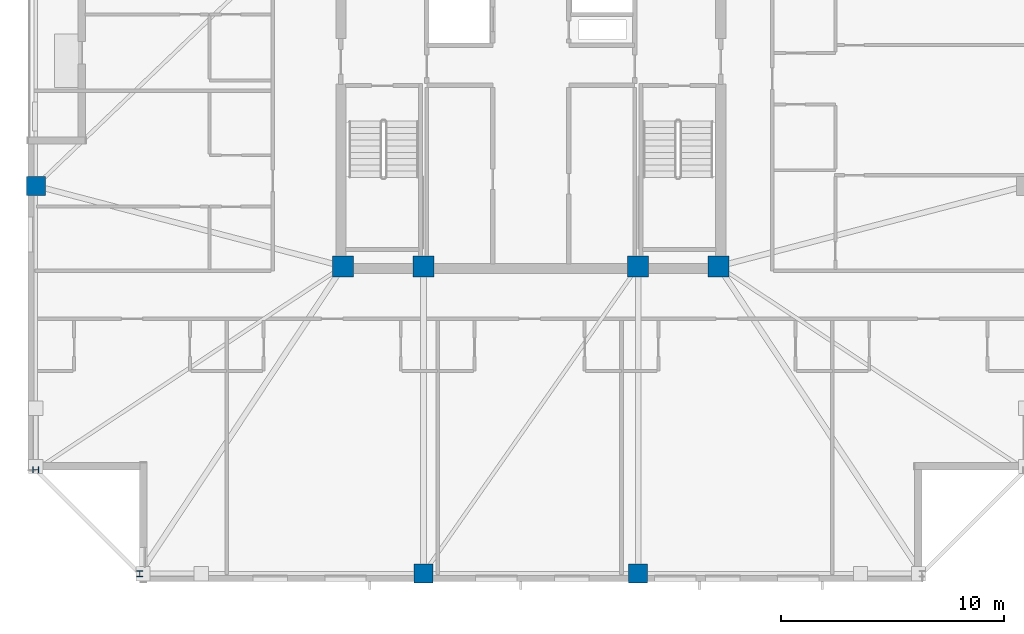
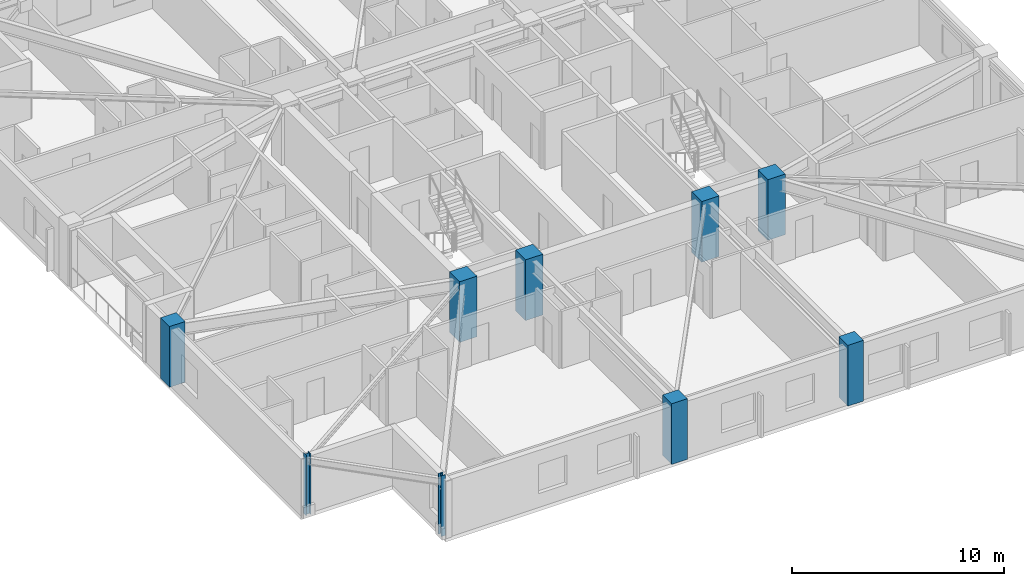
# One storey, part 1 of 17: 9 columns.
"""IFC4 building model written with IfcOpenShell, lengths in metres."""

from ifc_helpers import new_model, si_unit, direction, frame, origin, origin_2d, place, context, subcontext, project, spatial, rectangle, i_section, extrude, material, material_profile, profile_set, type_object, element, save


model = new_model("IFC4")

# Units and contexts
model_context = context("Model", 3, precision=1e-05, world=origin(), true_north=direction((0.0, 1.0)))
body_context = subcontext(model_context, "Body", "Model", "MODEL_VIEW")
ifc_project = project(units=[si_unit("LENGTHUNIT", "METRE"), si_unit("AREAUNIT", "SQUARE_METRE"), si_unit("VOLUMEUNIT", "CUBIC_METRE"), si_unit("PLANEANGLEUNIT", "RADIAN"), si_unit("MASSUNIT", "GRAM", prefix="KILO")], contexts=[model_context])

# Site, building, storey
site_placement = place(None, origin())
site = spatial("IfcSite", under=ifc_project, at=site_placement, CompositionType="ELEMENT")
building_placement = place(site_placement, origin())
building = spatial("IfcBuilding", under=site, at=building_placement, Name="Cairnveth Concourse Tower", CompositionType="ELEMENT")
storey_placement = place(building_placement, frame((0.0, 0.0, 244.5)))
storey = spatial("IfcBuildingStorey", under=building, at=storey_placement, Name="L67", CompositionType="ELEMENT", Elevation=244.5)

# Columns
ifc_material_1 = material(Name="Concrete N65 (65 MPa)", Category="concrete")
ifc_material_profile_1 = material_profile(ifc_material_1, rectangle(XDim=0.949951171875, YDim=0.949951171875, at=origin_2d()), Name="RC-COL-950x950")
ifc_profile_set_1 = profile_set([ifc_material_profile_1], Name="Concrete N65 (65 MPa)")
column_type_1 = type_object("IfcColumnType", Name="CORE COLUMN 950X950", PredefinedType="COLUMN", material=ifc_profile_set_1)
for number, where, z_axis, x_axis, name in (
    (1, (43.60009765625, 30.60009765625, 0.0), (0.0, 0.0, 1.0), (1.0, 0.0, 0.0), "Column CC1 L67"),
    (2, (47.199951171875, 30.60009765625, 0.0), (0.0, 0.0, 1.0), (1.0, 0.0, 0.0), "Column CC2 L67"),
    (3, (56.800048828125, 30.60009765625, 0.0), (0.0, 0.0, 1.0), (1.0, 0.0, 0.0), "Column CC3 L67"),
    (4, (60.39990234375, 30.60009765625, 0.0), (0.0, 0.0, 1.0), (1.0, 0.0, 0.0), "Column CC4 L67"),
):
    element("IfcColumn", number, at=place(storey_placement, frame(where, z_axis=z_axis, x_axis=x_axis)), inside=storey, type_object=column_type_1, Name=name, PredefinedType="COLUMN", context=body_context, shape_type="SweptSolid", body=[
        extrude(rectangle(XDim=0.949951171875, YDim=0.949951171875, at=origin_2d()), origin(), (0.0, 0.0, 1.0), 3.5),
    ])
ifc_material_profile_2 = material_profile(ifc_material_1, rectangle(XDim=0.85009765625, YDim=0.85009765625, at=origin_2d()), Name="RC-COL-850x850")
ifc_profile_set_2 = profile_set([ifc_material_profile_2], Name="Concrete N65 (65 MPa)")
column_type_2 = type_object("IfcColumnType", Name="PERIMETER PIER COLUMN 850X850", PredefinedType="COLUMN", material=ifc_profile_set_2)
for number, where, z_axis, x_axis, name in (
    (5, (47.199951171875, 16.85009765625, 0.0), (0.0, 0.0, 1.0), (1.0, 0.0, 0.0), "Column P-S2 L67"),
    (6, (56.800048828125, 16.85009765625, 0.0), (0.0, 0.0, 1.0), (1.0, 0.0, 0.0), "Column P-S3 L67"),
    (7, (29.85009765625, 34.199951171875, 0.0), (0.0, 0.0, 1.0), (0.0, 1.0, 0.0), "Column P-W3 L67"),
):
    element("IfcColumn", number, at=place(storey_placement, frame(where, z_axis=z_axis, x_axis=x_axis)), inside=storey, type_object=column_type_2, Name=name, PredefinedType="COLUMN", context=body_context, shape_type="SweptSolid", body=[
        extrude(rectangle(XDim=0.85009765625, YDim=0.85009765625, at=origin_2d()), origin(), (0.0, 0.0, 1.0), 3.5),
    ])
ifc_material_2 = material(Name="Steel Grade 350", Category="steel")
ifc_material_profile_3 = material_profile(ifc_material_2, i_section(OverallWidth=0.256103515625, OverallDepth=0.260009765625, WebThickness=0.010498046875, FlangeThickness=0.017333984375, FilletRadius=0.012939453125, at=origin_2d()), Name="250UC89.5")
ifc_profile_set_3 = profile_set([ifc_material_profile_3], Name="Steel Grade 350")
column_type_3 = type_object("IfcColumnType", Name="UNIVERSAL STEEL COLUMN 250UC89.5", PredefinedType="COLUMN", material=ifc_profile_set_3)
for number, where, z_axis, x_axis, name in (
    (8, (34.5, 16.85009765625, 0.0), (0.0, 0.0, 1.0), (1.0, 0.0, 0.0), "Column P-S1 L67"),
    (9, (29.85009765625, 21.5, 0.0), (0.0, 0.0, 1.0), (0.0, 1.0, 0.0), "Column P-W4 L67"),
):
    element("IfcColumn", number, at=place(storey_placement, frame(where, z_axis=z_axis, x_axis=x_axis)), inside=storey, type_object=column_type_3, Name=name, PredefinedType="COLUMN", context=body_context, shape_type="SweptSolid", body=[
        extrude(i_section(OverallWidth=0.256103515625, OverallDepth=0.260009765625, WebThickness=0.010498046875, FlangeThickness=0.017333984375, FilletRadius=0.012939453125, at=origin_2d()), origin(), (0.0, 0.0, 1.0), 3.5),
    ])

save(model, "model.ifc")
